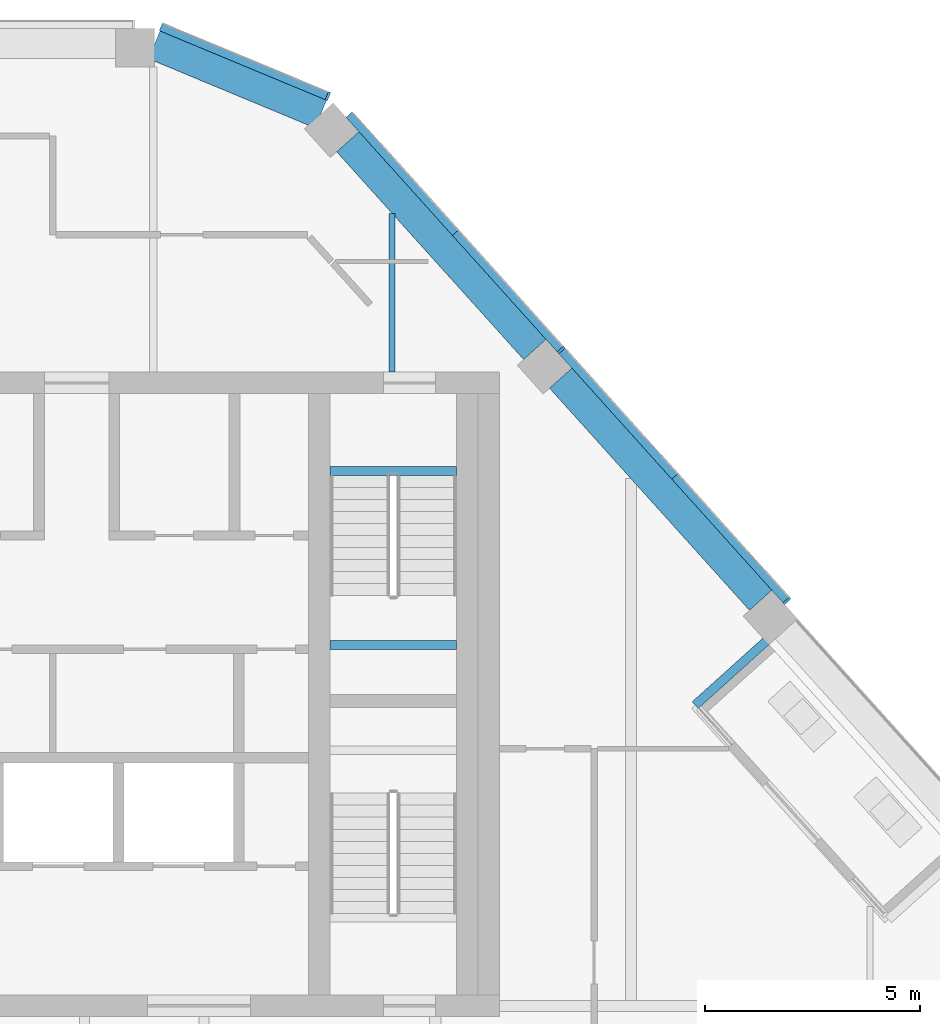
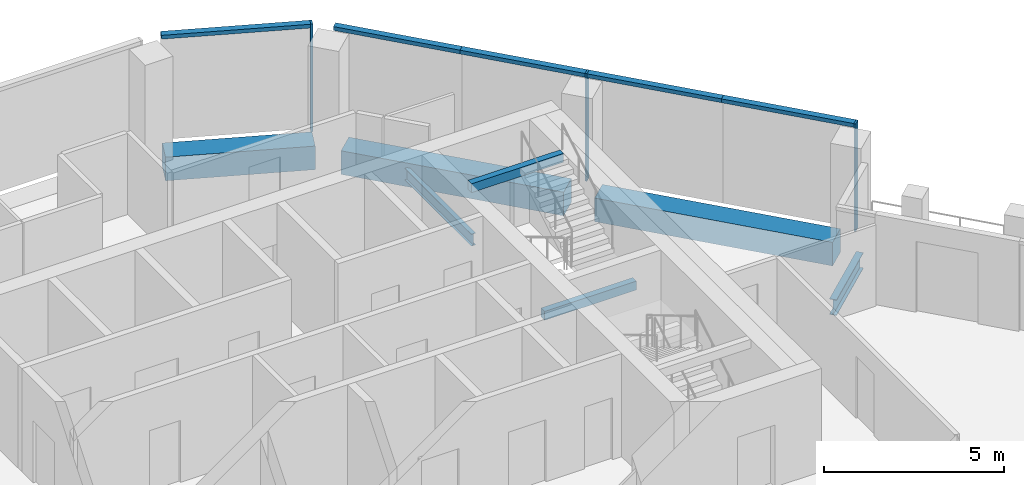
# One storey, part 8 of 20: 8 members, 7 beams, 2 elements without a shape of their own.
"""IFC4 building model written with IfcOpenShell, lengths in metres."""

from ifc_helpers import new_model, si_unit, direction, frame, origin, origin_2d, place, context, subcontext, project, spatial, rectangle, i_section, extrude, material, layer, layer_set, material_profile, profile_set, type_object, element, aggregate, save


model = new_model("IFC4")

# Units and contexts
model_context = context("Model", 3, precision=1e-05, world=origin(), true_north=direction((0.0, 1.0)))
body_context = subcontext(model_context, "Body", "Model", "MODEL_VIEW")
ifc_project = project(units=[si_unit("LENGTHUNIT", "METRE"), si_unit("AREAUNIT", "SQUARE_METRE"), si_unit("VOLUMEUNIT", "CUBIC_METRE"), si_unit("PLANEANGLEUNIT", "RADIAN"), si_unit("MASSUNIT", "GRAM", prefix="KILO")], contexts=[model_context])

# Site, building, storey
site_placement = place(None, origin())
site = spatial("IfcSite", under=ifc_project, at=site_placement, CompositionType="ELEMENT")
building_placement = place(site_placement, origin())
building = spatial("IfcBuilding", under=site, at=building_placement, Name="Isthmus Gate Tower", CompositionType="ELEMENT")
storey_placement = place(building_placement, frame((0.0, 0.0, 279.199951171875)))
storey = spatial("IfcBuildingStorey", under=building, at=storey_placement, Name="L71", CompositionType="ELEMENT", Elevation=279.199951171875)

# Curtain wall, members
ifc_material_1 = material(Name="Aluminium, pale champagne anodised", Category="aluminium")
ifc_layer = layer(ifc_material_1, 0.199951171875)
ifc_layer_set = layer_set([ifc_layer], Name="CW-1 UNITISED CURTAIN WALL 200 DEEP")
curtain_wall_type = type_object("IfcCurtainWallType", Name="CW-1 UNITISED CURTAIN WALL 200 DEEP", PredefinedType="NOTDEFINED", material=ifc_layer_set)
curtain_wall_1_placement = place(storey_placement, origin())
curtain_wall_1 = element("IfcCurtainWall", 1, at=curtain_wall_1_placement, inside=storey, type_object=curtain_wall_type, Name="CW-1 NE L71", PredefinedType="NOTDEFINED")
ifc_material_2 = material(Name="Aluminium, pale champagne anodised", Category="aluminium")
ifc_material_profile_1 = material_profile(ifc_material_2, rectangle(XDim=0.06005859375, YDim=0.199951171875, at=origin_2d()), Name="60x200")
ifc_profile_set_1 = profile_set([ifc_material_profile_1], Name="Aluminium, pale champagne anodised")
member_type_1 = type_object("IfcMemberType", Name="CW-1 MULLION 60 X 200", PredefinedType="MULLION", material=ifc_profile_set_1)
member_1_placement = place(storey_placement, frame((21.69140625, 9.680419921875, 0.0), z_axis=(0.0, 0.0, 1.0), x_axis=(-0.669130606359, 0.743144825477, 0.0)))
member_1 = element("IfcMember", 2, at=member_1_placement, type_object=member_type_1, Name="CW-1 mullion", PredefinedType="MULLION", context=body_context, shape_type="SweptSolid", body=[
    extrude(rectangle(XDim=0.06005859375, YDim=0.199951171875, at=origin_2d()), origin(), (0.0, 0.0, 1.0), 3.650146484375),
])
member_2_placement = place(storey_placement, frame((16.43408203125, 15.519287109375, 0.0), z_axis=(0.0, 0.0, 1.0), x_axis=(-0.669130606359, 0.743144825477, 0.0)))
member_2 = element("IfcMember", 3, at=member_2_placement, type_object=member_type_1, Name="CW-1 mullion", PredefinedType="MULLION", context=body_context, shape_type="SweptSolid", body=[
    extrude(rectangle(XDim=0.06005859375, YDim=0.199951171875, at=origin_2d()), origin(), (0.0, 0.0, 1.0), 3.650146484375),
])

# Curtain wall, member
curtain_wall_2_placement = place(storey_placement, origin())
curtain_wall_2 = element("IfcCurtainWall", 4, at=curtain_wall_2_placement, inside=storey, type_object=curtain_wall_type, Name="CW-1 NE-N L71", PredefinedType="NOTDEFINED")
member_3_placement = place(storey_placement, frame((11.001708984375, 21.427490234375, 0.0), z_axis=(0.0, 0.0, 1.0), x_axis=(-0.923353128387, 0.383951820282, 0.0)))
member_3 = element("IfcMember", 5, at=member_3_placement, type_object=member_type_1, Name="CW-1 mullion", PredefinedType="MULLION", context=body_context, shape_type="SweptSolid", body=[
    extrude(rectangle(XDim=0.06005859375, YDim=0.199951171875, at=origin_2d()), origin(), (0.0, 0.0, 1.0), 3.650146484375),
])

# Member
ifc_material_3 = material(Name="Aluminium, pale champagne anodised", Category="aluminium")
ifc_material_profile_2 = material_profile(ifc_material_3, rectangle(XDim=0.199951171875, YDim=0.1298828125, at=origin_2d()), Name="200x130")
ifc_profile_set_2 = profile_set([ifc_material_profile_2], Name="Aluminium, pale champagne anodised")
member_type_2 = type_object("IfcMemberType", Name="CW-1 TRANSOM 200 X 130", PredefinedType="USERDEFINED", material=ifc_profile_set_2)
member_4_placement = place(storey_placement, frame((21.67138671875, 9.702880859375, 3.5849609375), z_axis=(-0.669156480406, 0.743121527565, 0.0), x_axis=(-0.743121527565, -0.669156480406, 0.0)))
member_4 = element("IfcMember", 6, at=member_4_placement, type_object=member_type_2, Name="CW-1 transom", ObjectType="TRANSOM", PredefinedType="USERDEFINED", context=body_context, shape_type="SweptSolid", body=[
    extrude(rectangle(XDim=0.199951171875, YDim=0.1298828125, at=origin_2d()), origin(), (0.0, 0.0, 1.0), 3.868408203125),
])

member_5_placement = place(storey_placement, frame((19.082763671875, 12.57763671875, 3.5849609375), z_axis=(-0.669095199697, 0.743176704252, 0.0), x_axis=(-0.743176704252, -0.669095199697, 0.0)))
member_5 = element("IfcMember", 7, at=member_5_placement, type_object=member_type_2, Name="CW-1 transom", ObjectType="TRANSOM", PredefinedType="USERDEFINED", context=body_context, shape_type="SweptSolid", body=[
    extrude(rectangle(XDim=0.199951171875, YDim=0.1298828125, at=origin_2d()), origin(), (0.0, 0.0, 1.0), 3.92822265625),
])

member_6_placement = place(storey_placement, frame((16.4140625, 15.54150390625, 3.5849609375), z_axis=(-0.669116497993, 0.743157528464, 0.0), x_axis=(-0.743157528464, -0.669116497993, 0.0)))
member_6 = element("IfcMember", 8, at=member_6_placement, type_object=member_type_2, Name="CW-1 transom", ObjectType="TRANSOM", PredefinedType="USERDEFINED", context=body_context, shape_type="SweptSolid", body=[
    extrude(rectangle(XDim=0.199951171875, YDim=0.1298828125, at=origin_2d()), origin(), (0.0, 0.0, 1.0), 3.6435546875),
])

member_7_placement = place(storey_placement, frame((13.97607421875, 18.249267578125, 3.5849609375), z_axis=(-0.669154112043, 0.743123660192, 0.0), x_axis=(-0.743123660192, -0.669154112043, 0.0)))
member_7 = element("IfcMember", 9, at=member_7_placement, type_object=member_type_2, Name="CW-1 transom", ObjectType="TRANSOM", PredefinedType="USERDEFINED", context=body_context, shape_type="SweptSolid", body=[
    extrude(rectangle(XDim=0.199951171875, YDim=0.1298828125, at=origin_2d()), origin(), (0.0, 0.0, 1.0), 3.703125),
])

aggregate(curtain_wall_1, [member_1, member_4, member_5, member_2, member_6, member_7])

member_8_placement = place(storey_placement, frame((10.97412109375, 21.43896484375, 3.5849609375), z_axis=(-0.923358236369, 0.383939536033, 0.0), x_axis=(-0.383939536033, -0.923358236369, 0.0)))
member_8 = element("IfcMember", 10, at=member_8_placement, type_object=member_type_2, Name="CW-1 transom", ObjectType="TRANSOM", PredefinedType="USERDEFINED", context=body_context, shape_type="SweptSolid", body=[
    extrude(rectangle(XDim=0.199951171875, YDim=0.1298828125, at=origin_2d()), origin(), (0.0, 0.0, 1.0), 4.181640625),
])

aggregate(curtain_wall_2, [member_3, member_8])

# Beams
ifc_material_4 = material(Name="Concrete f'c 50 MPa", Category="concrete")
ifc_material_profile_3 = material_profile(ifc_material_4, rectangle(XDim=0.699951171875, YDim=0.800048828125, at=origin_2d()), Name="RC 700X800")
ifc_profile_set_3 = profile_set([ifc_material_profile_3], Name="Concrete f'c 50 MPa")
beam_type_1 = type_object("IfcBeamType", Name="RC SPANDREL 700 X 800", PredefinedType="SPANDREL", material=ifc_profile_set_3)
beam_1_placement = place(storey_placement, frame((6.95947265625, 22.620849609375, -0.39990234375), z_axis=(0.923360646135, -0.383933740597, 0.0), x_axis=(0.383933740597, 0.923360646135, 0.0)))
element("IfcBeam", 11, at=beam_1_placement, inside=storey, type_object=beam_type_1, Name="str-spandrel-L71-00", PredefinedType="SPANDREL", context=body_context, shape_type="SweptSolid", body=[
    extrude(rectangle(XDim=0.699951171875, YDim=0.800048828125, at=origin_2d()), origin(), (0.0, 0.0, 1.0), 4.19677734375),
])
beam_2_placement = place(storey_placement, frame((11.46484375, 20.36572265625, -0.39990234375), z_axis=(0.669122265754, -0.743152335307, 0.0), x_axis=(0.743152335307, 0.669122265754, 0.0)))
element("IfcBeam", 12, at=beam_2_placement, inside=storey, type_object=beam_type_1, Name="str-spandrel-L71-01", PredefinedType="SPANDREL", context=body_context, shape_type="SweptSolid", body=[
    extrude(rectangle(XDim=0.699951171875, YDim=0.800048828125, at=origin_2d()), origin(), (0.0, 0.0, 1.0), 6.506591796875),
])
beam_3_placement = place(storey_placement, frame((16.4208984375, 14.861572265625, -0.39990234375), z_axis=(0.669131458307, -0.743144058379, 0.0), x_axis=(0.743144058379, 0.669131458307, 0.0)))
element("IfcBeam", 13, at=beam_3_placement, inside=storey, type_object=beam_type_1, Name="str-spandrel-L71-02", PredefinedType="SPANDREL", context=body_context, shape_type="SweptSolid", body=[
    extrude(rectangle(XDim=0.699951171875, YDim=0.800048828125, at=origin_2d()), origin(), (0.0, 0.0, 1.0), 6.956787109375),
])
ifc_material_5 = material(Name="Concrete f'c 40 MPa", Category="concrete")
ifc_material_profile_4 = material_profile(ifc_material_5, rectangle(XDim=0.199951171875, YDim=0.300048828125, at=origin_2d()), Name="STAIR LANDING BEAM RC 200 X 300")
ifc_profile_set_4 = profile_set([ifc_material_profile_4], Name="Concrete f'c 40 MPa")
beam_type_2 = type_object("IfcBeamType", Name="STAIR LANDING BEAM RC 200 X 300", PredefinedType="BEAM", material=ifc_profile_set_4)
for number, where, z_axis, x_axis, name in (
    (14, (11.050048828125, 8.64990234375, 1.47509765625), (1.0, 0.0, 0.0), (0.0, 1.0, 0.0), "L71 ST2 landing beam 1"),
    (15, (11.050048828125, 12.7001953125, 3.35009765625), (1.0, 0.0, 0.0), (0.0, 1.0, 0.0), "L71 ST2 floor-edge seat beam"),
):
    element("IfcBeam", number, at=place(storey_placement, frame(where, z_axis=z_axis, x_axis=x_axis)), inside=storey, type_object=beam_type_2, Name=name, PredefinedType="BEAM", context=body_context, shape_type="SweptSolid", body=[
        extrude(rectangle(XDim=0.199951171875, YDim=0.300048828125, at=origin_2d()), origin(), (0.0, 0.0, 1.0), 2.949951171875),
    ])
ifc_material_6 = material(Name="Structural steel ASTM A992 Gr 50", Category="steel")
ifc_material_profile_5 = material_profile(ifc_material_6, i_section(OverallWidth=0.1396484375, OverallDepth=0.4033203125, WebThickness=0.00634765625, FlangeThickness=0.010986328125, at=origin_2d()), Name="W16X31")
ifc_profile_set_5 = profile_set([ifc_material_profile_5], Name="Structural steel ASTM A992 Gr 50")
beam_type_3 = type_object("IfcBeamType", Name="STEEL FLOOR BEAM W16X31", PredefinedType="JOIST", material=ifc_profile_set_5)
beam_4_placement = place(storey_placement, frame((12.49560546875, 15.0, -0.3515625), z_axis=(0.0, 1.0, 0.0), x_axis=(-1.0, 0.0, 0.0)))
element("IfcBeam", 16, at=beam_4_placement, inside=storey, type_object=beam_type_3, Name="str-beam-L71-11-05", PredefinedType="JOIST", context=body_context, shape_type="SweptSolid", body=[
    extrude(i_section(OverallWidth=0.1396484375, OverallDepth=0.4033203125, WebThickness=0.00634765625, FlangeThickness=0.010986328125, at=origin_2d()), origin(), (0.0, 0.0, 1.0), 3.69775390625),
])
ifc_material_7 = material(Name="Structural steel ASTM A992 Gr 50", Category="steel")
ifc_material_profile_6 = material_profile(ifc_material_7, i_section(OverallWidth=0.20947265625, OverallDepth=0.533447265625, WebThickness=0.009521484375, FlangeThickness=0.015869140625, at=origin_2d()), Name="W21X62")
ifc_profile_set_6 = profile_set([ifc_material_profile_6], Name="Structural steel ASTM A992 Gr 50")
beam_type_4 = type_object("IfcBeamType", Name="STEEL TRIMMER W21X62", PredefinedType="BEAM", material=ifc_profile_set_6)
beam_5_placement = place(storey_placement, frame((21.347900390625, 8.866455078125, -0.416748046875), z_axis=(-0.743148311246, -0.669126735, 0.0), x_axis=(0.669126735, -0.743148311246, 0.0)))
element("IfcBeam", 17, at=beam_5_placement, inside=storey, type_object=beam_type_4, Name="str-loggiatrim-L71-05-C", PredefinedType="BEAM", context=body_context, shape_type="SweptSolid", body=[
    extrude(i_section(OverallWidth=0.20947265625, OverallDepth=0.533447265625, WebThickness=0.009521484375, FlangeThickness=0.015869140625, at=origin_2d()), origin(), (0.0, 0.0, 1.0), 2.414306640625),
])

save(model, "model.ifc")
